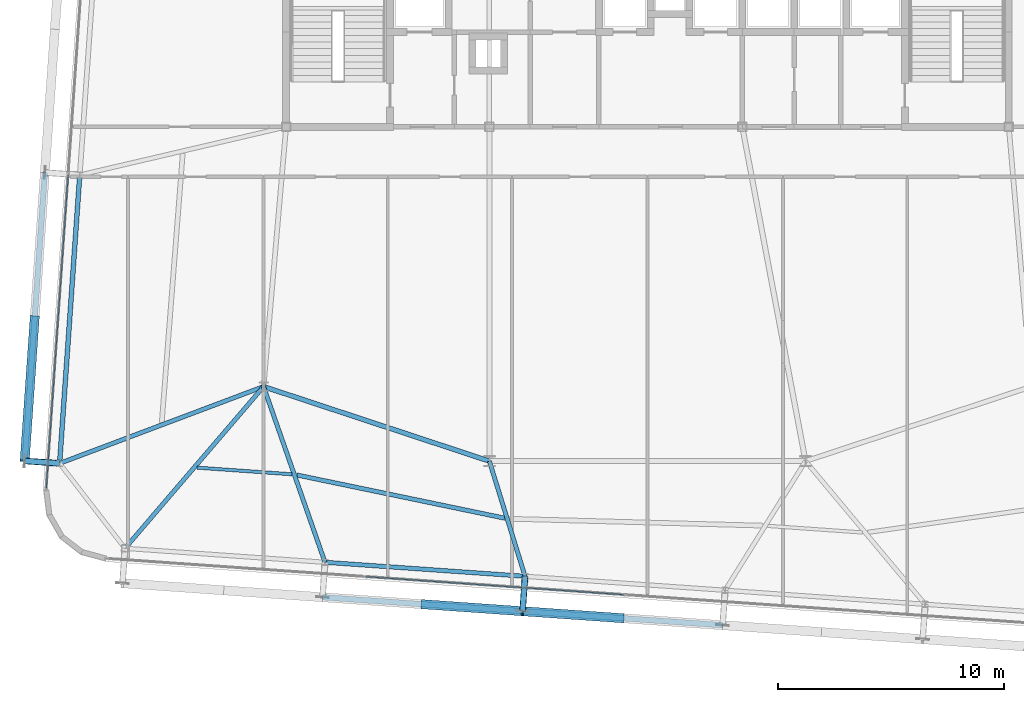
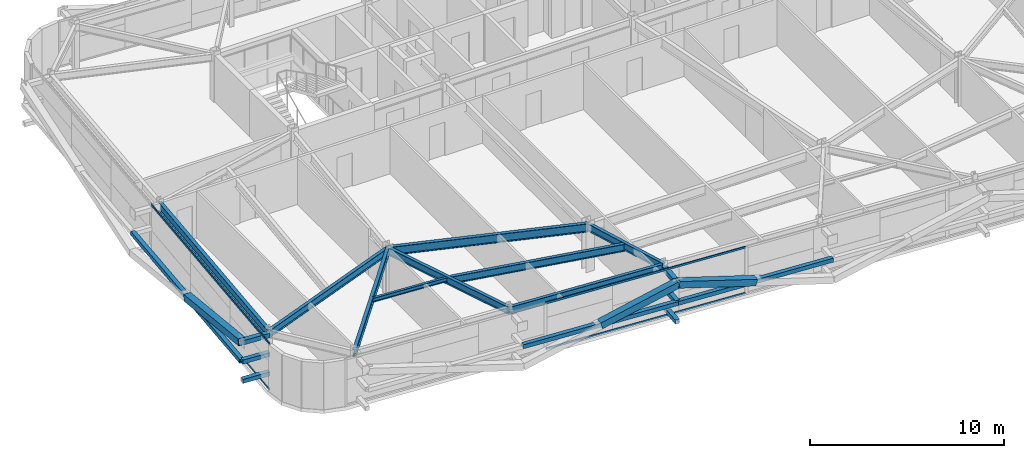
# One storey, part 8 of 39: 16 members, 9 beams, 2 elements without a shape of their own.
"""IFC4 building model written with IfcOpenShell, lengths in metres."""

from ifc_helpers import new_model, si_unit, direction, frame, origin, origin_2d, place, context, subcontext, project, spatial, hollow_rectangle, i_section, extrude, source, transform, mapped, material, layer, layer_set, material_profile, profile_set, type_object, element, aggregate, save


model = new_model("IFC4")

# Units and contexts
model_context = context("Model", 3, precision=1e-05, world=origin(), true_north=direction((0.0, 1.0)))
body_context = subcontext(model_context, "Body", "Model", "MODEL_VIEW")
ifc_project = project(units=[si_unit("LENGTHUNIT", "METRE"), si_unit("AREAUNIT", "SQUARE_METRE"), si_unit("VOLUMEUNIT", "CUBIC_METRE"), si_unit("PLANEANGLEUNIT", "RADIAN"), si_unit("MASSUNIT", "GRAM", prefix="KILO")], contexts=[model_context])

# Site, building, storey
site_placement = place(None, origin())
site = spatial("IfcSite", under=ifc_project, at=site_placement, CompositionType="ELEMENT")
building_placement = place(site_placement, origin())
building = spatial("IfcBuilding", under=site, at=building_placement, Name="Taldren Reach Tower", CompositionType="ELEMENT")
storey_placement = place(building_placement, frame((0.0, 0.0, 123.550048828125)))
storey = spatial("IfcBuildingStorey", under=building, at=storey_placement, Name="L37", CompositionType="ELEMENT", Elevation=123.550048828125)

# Beam
ifc_material_1 = material(Name="Steel Gr 350 (350PLUS)", Category="steel")
ifc_material_profile_1 = material_profile(ifc_material_1, i_section(OverallWidth=0.208984375, OverallDepth=0.532958984375, WebThickness=0.01025390625, FlangeThickness=0.015625, at=origin_2d()), Name="530UB92.4")
ifc_profile_set_1 = profile_set([ifc_material_profile_1], Name="Steel Gr 350 (350PLUS)")
beam_type_1 = type_object("IfcBeamType", Name="BM-UB530A", PredefinedType="BEAM", material=ifc_profile_set_1)
shared_shape_1 = source(origin(), body_context, "Body", "SweptSolid", [
    extrude(i_section(OverallWidth=0.208984375, OverallDepth=0.532958984375, WebThickness=0.01025390625, FlangeThickness=0.015625, at=origin_2d()), origin(), (0.0, 0.0, 1.0), 10.530517578125),
])
beam_1_placement = place(storey_placement, frame((18.0, 12.5, 2.663330078125), z_axis=(0.949627269203, -0.313381635689, 0.0), x_axis=(0.313381635689, 0.949627269203, 0.0)))
element("IfcBeam", 1, at=beam_1_placement, inside=storey, type_object=beam_type_1, Name="Core-spine girder L37-SP10", PredefinedType="BEAM", context=body_context, shape_type="MappedRepresentation", body=[
    mapped(shared_shape_1, transform((0.0, 0.0, 0.0), scale=1.0)),
])

# Members
ifc_material_2 = material(Name="Steel Gr 450 (C450L0)", Category="steel")
ifc_material_profile_2 = material_profile(ifc_material_2, hollow_rectangle(XDim=0.27490234375, YDim=0.27490234375, WallThickness=0.00927734375, at=origin_2d()), Name="275x275x9.3SHS")
ifc_profile_set_2 = profile_set([ifc_material_profile_2], Name="Steel Gr 450 (C450L0)")
member_type_1 = type_object("IfcMemberType", Name="MB-TIE273", PredefinedType="STRUT", material=ifc_profile_set_2)
shared_shape_2 = source(origin(), body_context, "Body", "SweptSolid", [
    extrude(hollow_rectangle(XDim=0.27490234375, YDim=0.27490234375, WallThickness=0.00927734375, at=origin_2d()), origin(), (0.0, 0.0, 1.0), 1.5498046875),
])
member_1_placement = place(storey_placement, frame((8.96875, 9.099609375, 2.64990234375), z_axis=(-0.997573320145, 0.069623781384, 0.0), x_axis=(-0.069623781384, -0.997573320145, 0.0)))
element("IfcMember", 2, at=member_1_placement, inside=storey, type_object=member_type_1, Name="Exoskeleton diaphragm tie strut B3-W1 L37", PredefinedType="STRUT", context=body_context, shape_type="MappedRepresentation", body=[
    mapped(shared_shape_2, transform((0.0, 0.0, 0.0), scale=1.0)),
])
ifc_material_3 = material(Name="Steel Gr 350 (C350L0)", Category="steel")
ifc_material_profile_3 = material_profile(ifc_material_3, hollow_rectangle(XDim=0.25, YDim=0.25, WallThickness=0.010009765625, at=origin_2d()), Name="250x250x10.0SHS")
ifc_profile_set_3 = profile_set([ifc_material_profile_3], Name="Steel Gr 350 (C350L0)")
member_type_2 = type_object("IfcMemberType", Name="MB-POST250", PredefinedType="POST", material=ifc_profile_set_3)
shared_shape_3 = source(origin(), body_context, "Body", "SweptSolid", [
    extrude(hollow_rectangle(XDim=0.25, YDim=0.25, WallThickness=0.010009765625, at=origin_2d()), origin(), (0.0, 0.0, 1.0), 1.5498046875),
])
for number, where, z_axis, x_axis, name in (
    (3, (8.96875, 9.099609375, 0.219970703125), (-0.997573320145, 0.069623781384, 0.0), (-0.069623781384, -0.997573320145, 0.0), "Exoskeleton base diaphragm tie strut B3-W1 L37"),
    (4, (8.96875, 9.099609375, 1.43505859375), (-0.997573320145, 0.069623781384, 0.0), (-0.069623781384, -0.997573320145, 0.0), "Exoskeleton mid-tier diaphragm tie B3-W1 L37"),
):
    element("IfcMember", number, at=place(storey_placement, frame(where, z_axis=z_axis, x_axis=x_axis)), inside=storey, type_object=member_type_2, Name=name, PredefinedType="POST", context=body_context, shape_type="MappedRepresentation", body=[
        mapped(shared_shape_3, transform((0.0, 0.0, 0.0), scale=1.0)),
    ])
shared_shape_4 = source(origin(), body_context, "Body", "SweptSolid", [
    extrude(hollow_rectangle(XDim=0.27490234375, YDim=0.27490234375, WallThickness=0.00927734375, at=origin_2d()), origin(), (0.0, 0.0, 1.0), 1.550048828125),
])
member_2_placement = place(storey_placement, frame((29.580322265625, 4.099609375, 2.64990234375), z_axis=(-0.06976957191, -0.99756313426, 0.0), x_axis=(0.99756313426, -0.06976957191, 0.0)))
element("IfcMember", 5, at=member_2_placement, inside=storey, type_object=member_type_1, Name="Exoskeleton diaphragm tie strut B3-S3 L37", PredefinedType="STRUT", context=body_context, shape_type="MappedRepresentation", body=[
    mapped(shared_shape_4, transform((0.0, 0.0, 0.0), scale=1.0)),
])
shared_shape_5 = source(origin(), body_context, "Body", "SweptSolid", [
    extrude(hollow_rectangle(XDim=0.25, YDim=0.25, WallThickness=0.010009765625, at=origin_2d()), origin(), (0.0, 0.0, 1.0), 1.550048828125),
])
for number, where, z_axis, x_axis, name in (
    (6, (29.580322265625, 4.099609375, 0.219970703125), (-0.06976957191, -0.99756313426, 0.0), (0.99756313426, -0.06976957191, 0.0), "Exoskeleton base diaphragm tie strut B3-S3 L37"),
    (7, (29.580322265625, 4.099609375, 1.43505859375), (-0.06976957191, -0.99756313426, 0.0), (0.99756313426, -0.06976957191, 0.0), "Exoskeleton mid-tier diaphragm tie B3-S3 L37"),
):
    element("IfcMember", number, at=place(storey_placement, frame(where, z_axis=z_axis, x_axis=x_axis)), inside=storey, type_object=member_type_2, Name=name, PredefinedType="POST", context=body_context, shape_type="MappedRepresentation", body=[
        mapped(shared_shape_5, transform((0.0, 0.0, 0.0), scale=1.0)),
    ])

# Beams
ifc_material_profile_4 = material_profile(ifc_material_1, i_section(OverallWidth=0.18994140625, OverallDepth=0.4541015625, WebThickness=0.008544921875, FlangeThickness=0.0126953125, at=origin_2d()), Name="460UB67.1")
ifc_profile_set_4 = profile_set([ifc_material_profile_4], Name="Steel Gr 350 (350PLUS)")
beam_type_2 = type_object("IfcBeamType", Name="SP-UB460B", PredefinedType="SPANDREL", material=ifc_profile_set_4)
shared_shape_6 = source(origin(), body_context, "Body", "SweptSolid", [
    extrude(i_section(OverallWidth=0.18994140625, OverallDepth=0.4541015625, WebThickness=0.008544921875, FlangeThickness=0.0126953125, at=origin_2d()), origin(), (0.0, 0.0, 1.0), 8.880126953125),
])
beam_2_placement = place(storey_placement, frame((20.721923828125, 4.718994140625, 2.702880859375), z_axis=(0.997564479639, -0.069750333063, 0.0), x_axis=(0.069750333063, 0.997564479639, 0.0)))
element("IfcBeam", 8, at=beam_2_placement, inside=storey, type_object=beam_type_2, Name="Perimeter spandrel B3 S2-S3 L37", PredefinedType="SPANDREL", context=body_context, shape_type="MappedRepresentation", body=[
    mapped(shared_shape_6, transform((0.0, 0.0, 0.0), scale=1.0)),
])
ifc_material_profile_5 = material_profile(ifc_material_1, i_section(OverallWidth=0.208984375, OverallDepth=0.528076171875, WebThickness=0.009521484375, FlangeThickness=0.01318359375, at=origin_2d()), Name="530UB82.0")
ifc_profile_set_5 = profile_set([ifc_material_profile_5], Name="Steel Gr 350 (350PLUS)")
beam_type_3 = type_object("IfcBeamType", Name="SP-UB530B", PredefinedType="SPANDREL", material=ifc_profile_set_5)
shared_shape_7 = source(origin(), body_context, "Body", "SweptSolid", [
    extrude(i_section(OverallWidth=0.208984375, OverallDepth=0.528076171875, WebThickness=0.009521484375, FlangeThickness=0.01318359375, at=origin_2d()), origin(), (0.0, 0.0, 1.0), 12.800048828125),
])
beam_3_placement = place(storey_placement, frame((9.86181640625, 21.868408203125, 2.666015625), z_axis=(-0.069770857464, -0.997563044348, 0.0), x_axis=(0.997563044348, -0.069770857464, 0.0)))
element("IfcBeam", 9, at=beam_3_placement, inside=storey, type_object=beam_type_3, Name="Perimeter spandrel B3 W2-W1 L37", PredefinedType="SPANDREL", context=body_context, shape_type="MappedRepresentation", body=[
    mapped(shared_shape_7, transform((0.0, 0.0, 0.0), scale=1.0)),
])
ifc_material_profile_6 = material_profile(ifc_material_1, i_section(OverallWidth=0.19091796875, OverallDepth=0.4599609375, WebThickness=0.010009765625, FlangeThickness=0.01611328125, at=origin_2d()), Name="460UB82.1")
ifc_profile_set_6 = profile_set([ifc_material_profile_6], Name="Steel Gr 350 (350PLUS)")
beam_type_4 = type_object("IfcBeamType", Name="BM-UB460A", PredefinedType="BEAM", material=ifc_profile_set_6)
shared_shape_8 = source(origin(), body_context, "Body", "SweptSolid", [
    extrude(i_section(OverallWidth=0.19091796875, OverallDepth=0.4599609375, WebThickness=0.010009765625, FlangeThickness=0.01611328125, at=origin_2d()), origin(), (0.0, 0.0, 1.0), 9.43115234375),
])
beam_4_placement = place(storey_placement, frame((18.0, 12.5, 2.699951171875), z_axis=(-0.650665584965, -0.759364402999, 0.0), x_axis=(0.759364402999, -0.650665584965, 0.0)))
element("IfcBeam", 10, at=beam_4_placement, inside=storey, type_object=beam_type_4, Name="Primary floor girder B3-S1 L37", PredefinedType="BEAM", context=body_context, shape_type="MappedRepresentation", body=[
    mapped(shared_shape_8, transform((0.0, 0.0, 0.0), scale=1.0)),
])
shared_shape_9 = source(origin(), body_context, "Body", "SweptSolid", [
    extrude(i_section(OverallWidth=0.19091796875, OverallDepth=0.4599609375, WebThickness=0.010009765625, FlangeThickness=0.01611328125, at=origin_2d()), origin(), (0.0, 0.0, 1.0), 8.243408203125),
])
beam_5_placement = place(storey_placement, frame((18.0, 12.5, 2.699951171875), z_axis=(0.330196070713, -0.943912366105, 0.0), x_axis=(0.943912366105, 0.330196070713, 0.0)))
element("IfcBeam", 11, at=beam_5_placement, inside=storey, type_object=beam_type_4, Name="Primary floor girder B3-S2 L37", PredefinedType="BEAM", context=body_context, shape_type="MappedRepresentation", body=[
    mapped(shared_shape_9, transform((0.0, 0.0, 0.0), scale=1.0)),
])
shared_shape_10 = source(origin(), body_context, "Body", "SweptSolid", [
    extrude(i_section(OverallWidth=0.19091796875, OverallDepth=0.4599609375, WebThickness=0.010009765625, FlangeThickness=0.01611328125, at=origin_2d()), origin(), (0.0, 0.0, 1.0), 5.339599609375),
])
beam_6_placement = place(storey_placement, frame((28.0, 9.199951171875, 2.699951171875), z_axis=(0.295964865482, -0.955198826632, 0.0), x_axis=(0.955198826632, 0.295964865482, 0.0)))
element("IfcBeam", 12, at=beam_6_placement, inside=storey, type_object=beam_type_4, Name="Primary floor girder B3-S3 L37", PredefinedType="BEAM", context=body_context, shape_type="MappedRepresentation", body=[
    mapped(shared_shape_10, transform((0.0, 0.0, 0.0), scale=1.0)),
])
shared_shape_11 = source(origin(), body_context, "Body", "SweptSolid", [
    extrude(i_section(OverallWidth=0.19091796875, OverallDepth=0.4599609375, WebThickness=0.010009765625, FlangeThickness=0.01611328125, at=origin_2d()), origin(), (0.0, 0.0, 1.0), 9.650146484375),
])
beam_7_placement = place(storey_placement, frame((18.0, 12.5, 2.699951171875), z_axis=(-0.935862573906, -0.352365212191, 0.0), x_axis=(0.352365212191, -0.935862573906, 0.0)))
element("IfcBeam", 13, at=beam_7_placement, inside=storey, type_object=beam_type_4, Name="Primary floor girder B3-W1 L37", PredefinedType="BEAM", context=body_context, shape_type="MappedRepresentation", body=[
    mapped(shared_shape_11, transform((0.0, 0.0, 0.0), scale=1.0)),
])
ifc_material_4 = material(Name="Steel Gr 300 (300PLUS, 300 MPa)", Category="steel")
ifc_material_profile_7 = material_profile(ifc_material_4, i_section(OverallWidth=0.14599609375, OverallDepth=0.256103515625, WebThickness=0.00634765625, FlangeThickness=0.010986328125, at=origin_2d()), Name="250UB37.3")
ifc_profile_set_7 = profile_set([ifc_material_profile_7], Name="Steel Gr 300 (300PLUS, 300 MPa)")
beam_type_5 = type_object("IfcBeamType", Name="JS-UB250", PredefinedType="JOIST", material=ifc_profile_set_7)
shared_shape_12 = source(origin(), body_context, "Body", "SweptSolid", [
    extrude(i_section(OverallWidth=0.14599609375, OverallDepth=0.256103515625, WebThickness=0.00634765625, FlangeThickness=0.010986328125, at=origin_2d()), origin(), (0.0, 0.0, 1.0), 4.217041015625),
])
beam_8_placement = place(storey_placement, frame((15.050537109375, 8.910888671875, 2.802001953125), z_axis=(0.997563683226, -0.069761722378, 0.0), x_axis=(0.069761722378, 0.997563683226, 0.0)))
element("IfcBeam", 14, at=beam_8_placement, inside=storey, type_object=beam_type_5, Name="Secondary floor joist B3 J1 L37", PredefinedType="JOIST", context=body_context, shape_type="MappedRepresentation", body=[
    mapped(shared_shape_12, transform((0.0, 0.0, 0.0), scale=1.0)),
])
shared_shape_13 = source(origin(), body_context, "Body", "SweptSolid", [
    extrude(i_section(OverallWidth=0.19091796875, OverallDepth=0.4599609375, WebThickness=0.010009765625, FlangeThickness=0.01611328125, at=origin_2d()), origin(), (0.0, 0.0, 1.0), 9.410400390625),
])
beam_9_placement = place(storey_placement, frame((19.469970703125, 8.5869140625, 2.699951171875), z_axis=(0.97907399109, -0.20350459447, 0.0), x_axis=(0.20350459447, 0.97907399109, 0.0)))
element("IfcBeam", 15, at=beam_9_placement, inside=storey, type_object=beam_type_4, Name="Secondary floor beam B3 J2 L37", PredefinedType="BEAM", context=body_context, shape_type="MappedRepresentation", body=[
    mapped(shared_shape_13, transform((0.0, 0.0, 0.0), scale=1.0)),
])

# Members
shared_shape_14 = source(origin(), body_context, "Body", "SweptSolid", [
    extrude(hollow_rectangle(XDim=0.25, YDim=0.25, WallThickness=0.010009765625, at=origin_2d()), origin(), (0.0, 0.0, 1.0), 8.880126953125),
])
for number, where, z_axis, x_axis, name in (
    (16, (20.61376953125, 3.1728515625, 1.43505859375), (0.997562566276, -0.06977769246, 0.0), (0.06977769246, 0.997562566276, 0.0), "Exoskeleton mid-height ring chord B3-S2 L37"),
    (17, (29.47216796875, 2.55322265625, 1.43505859375), (0.997564479639, -0.069750333063, 0.0), (0.069750333063, 0.997564479639, 0.0), "Exoskeleton mid-height ring chord B3-S3 L37"),
):
    element("IfcMember", number, at=place(storey_placement, frame(where, z_axis=z_axis, x_axis=x_axis)), inside=storey, type_object=member_type_2, Name=name, PredefinedType="POST", context=body_context, shape_type="MappedRepresentation", body=[
        mapped(shared_shape_14, transform((0.0, 0.0, 0.0), scale=1.0)),
    ])
shared_shape_15 = source(origin(), body_context, "Body", "SweptSolid", [
    extrude(hollow_rectangle(XDim=0.25, YDim=0.25, WallThickness=0.010009765625, at=origin_2d()), origin(), (0.0, 0.0, 1.0), 12.80029296875),
])
member_3_placement = place(storey_placement, frame((7.422607421875, 9.20751953125, 1.43505859375), z_axis=(0.069750549628, 0.997564464497, 0.0), x_axis=(-0.997564464497, 0.069750549628, 0.0)))
element("IfcMember", 18, at=member_3_placement, inside=storey, type_object=member_type_2, Name="Exoskeleton mid-height ring chord B3-W1 L37", PredefinedType="POST", context=body_context, shape_type="MappedRepresentation", body=[
    mapped(shared_shape_15, transform((0.0, 0.0, 0.0), scale=1.0)),
])
ifc_material_profile_8 = material_profile(ifc_material_2, hollow_rectangle(XDim=0.409912109375, YDim=0.409912109375, WallThickness=0.01611328125, at=origin_2d()), Name="410x410x16.0SHS")
ifc_profile_set_8 = profile_set([ifc_material_profile_8], Name="Steel Gr 450 (C450L0)")
member_type_3 = type_object("IfcMemberType", Name="MB-EXO406", PredefinedType="BRACE", material=ifc_profile_set_8)
shared_shape_16 = source(origin(), body_context, "Body", "SweptSolid", [
    extrude(hollow_rectangle(XDim=0.409912109375, YDim=0.409912109375, WallThickness=0.01611328125, at=origin_2d()), origin(), (0.0, 0.0, 1.0), 4.603271484375),
])
for number, where, z_axis, x_axis, name in (
    (19, (25.04296875, 2.863037109375, 1.43505859375), (0.962195820062, -0.067303852699, 0.263911718699), (0.06977769246, 0.997562566276, 0.0), "Exoskeleton Diagrid Brace B3-S2 L37"),
    (20, (33.9013671875, 2.24365234375, 1.43505859375), (-0.962199253371, 0.067251055742, 0.263912660389), (-0.069722973508, -0.997566392259, 0.0), "Exoskeleton Diagrid Brace B3-S3 L37"),
):
    element("IfcMember", number, at=place(storey_placement, frame(where, z_axis=z_axis, x_axis=x_axis)), inside=storey, type_object=member_type_3, Name=name, PredefinedType="BRACE", context=body_context, shape_type="MappedRepresentation", body=[
        mapped(shared_shape_16, transform((0.0, 0.0, 0.0), scale=1.0)),
    ])
shared_shape_17 = source(origin(), body_context, "Body", "SweptSolid", [
    extrude(hollow_rectangle(XDim=0.409912109375, YDim=0.409912109375, WallThickness=0.01611328125, at=origin_2d()), origin(), (0.0, 0.0, 1.0), 6.514404296875),
])
member_4_placement = place(storey_placement, frame((7.869140625, 15.592041015625, 1.43505859375), z_axis=(-0.068545605936, -0.980063499638, 0.186486022492), x_axis=(0.997563137195, -0.069769529958, 0.0)))
element("IfcMember", 21, at=member_4_placement, inside=storey, type_object=member_type_3, Name="Exoskeleton Diagrid Brace B3-W1 L37", PredefinedType="BRACE", context=body_context, shape_type="MappedRepresentation", body=[
    mapped(shared_shape_17, transform((0.0, 0.0, 0.0), scale=1.0)),
])

# Curtain wall, members
ifc_material_5 = material(Name="Aluminium and Low-E Glass Unitised System", Category="aluminium")
ifc_layer = layer(ifc_material_5, 0.159912109375)
ifc_layer_set = layer_set([ifc_layer], Name="Aluminium and Low-E Glass Unitised System")
curtain_wall_type = type_object("IfcCurtainWallType", Name="CW-SYS-4", PredefinedType="NOTDEFINED", material=ifc_layer_set)
curtain_wall_1_placement = place(storey_placement, origin())
curtain_wall_1 = element("IfcCurtainWall", 22, at=curtain_wall_1_placement, inside=storey, type_object=curtain_wall_type, Name="Unitised curtain wall CW-L37-S", PredefinedType="NOTDEFINED")
ifc_material_6 = material(Name="Anodised Aluminium 6063-T6", Category="aluminium")
ifc_material_profile_9 = material_profile(ifc_material_6, hollow_rectangle(XDim=0.054931640625, YDim=0.1201171875, WallThickness=0.0029296875, at=origin_2d()), Name="ALU-120x55x3RHS")
ifc_profile_set_9 = profile_set([ifc_material_profile_9], Name="Anodised Aluminium 6063-T6")
member_type_4 = type_object("IfcMemberType", Name="CW-TRN-135", PredefinedType="USERDEFINED", material=ifc_profile_set_9)
shared_shape_18 = source(origin(), body_context, "Body", "SweptSolid", [
    extrude(hollow_rectangle(XDim=0.054931640625, YDim=0.1201171875, WallThickness=0.0029296875, at=origin_2d()), origin(), (0.0, 0.0, 1.0), 11.429931640625),
])
member_5_placement = place(storey_placement, frame((22.536865234375, 4.080810546875, 0.02734375), z_axis=(0.997563740938, -0.069760897114, 0.0), x_axis=(0.069760897114, 0.997563740938, 0.0)))
member_5 = element("IfcMember", 23, at=member_5_placement, type_object=member_type_4, Name="CW-4 transom 2.1", ObjectType="TRANSOM", PredefinedType="USERDEFINED", context=body_context, shape_type="MappedRepresentation", body=[
    mapped(shared_shape_18, transform((0.0, 0.0, 0.0), scale=1.0)),
])
member_6_placement = place(storey_placement, frame((22.536865234375, 4.080810546875, 2.90234375), z_axis=(0.997563740938, -0.069760897114, 0.0), x_axis=(0.069760897114, 0.997563740938, 0.0)))
member_6 = element("IfcMember", 24, at=member_6_placement, type_object=member_type_4, Name="CW-4 transom 2.2", ObjectType="TRANSOM", PredefinedType="USERDEFINED", context=body_context, shape_type="MappedRepresentation", body=[
    mapped(shared_shape_18, transform((0.0, 0.0, 0.0), scale=1.0)),
])
aggregate(curtain_wall_1, [member_5, member_6])

curtain_wall_2_placement = place(storey_placement, origin())
curtain_wall_2 = element("IfcCurtainWall", 25, at=curtain_wall_2_placement, inside=storey, type_object=curtain_wall_type, Name="Unitised curtain wall CW-L37-W", PredefinedType="NOTDEFINED")
shared_shape_19 = source(origin(), body_context, "Body", "SweptSolid", [
    extrude(hollow_rectangle(XDim=0.054931640625, YDim=0.1201171875, WallThickness=0.0029296875, at=origin_2d()), origin(), (0.0, 0.0, 1.0), 13.89501953125),
])
member_7_placement = place(storey_placement, frame((9.3505859375, 21.868896484375, 0.02734375), z_axis=(-0.069754817075, -0.997564166104, 0.0), x_axis=(0.997564166104, -0.069754817075, 0.0)))
member_7 = element("IfcMember", 26, at=member_7_placement, type_object=member_type_4, Name="CW-4 transom 2.1", ObjectType="TRANSOM", PredefinedType="USERDEFINED", context=body_context, shape_type="MappedRepresentation", body=[
    mapped(shared_shape_19, transform((0.0, 0.0, 0.0), scale=1.0)),
])
member_8_placement = place(storey_placement, frame((9.3505859375, 21.868896484375, 2.90234375), z_axis=(-0.069754817075, -0.997564166104, 0.0), x_axis=(0.997564166104, -0.069754817075, 0.0)))
member_8 = element("IfcMember", 27, at=member_8_placement, type_object=member_type_4, Name="CW-4 transom 2.2", ObjectType="TRANSOM", PredefinedType="USERDEFINED", context=body_context, shape_type="MappedRepresentation", body=[
    mapped(shared_shape_19, transform((0.0, 0.0, 0.0), scale=1.0)),
])
aggregate(curtain_wall_2, [member_7, member_8])

save(model, "model.ifc")
